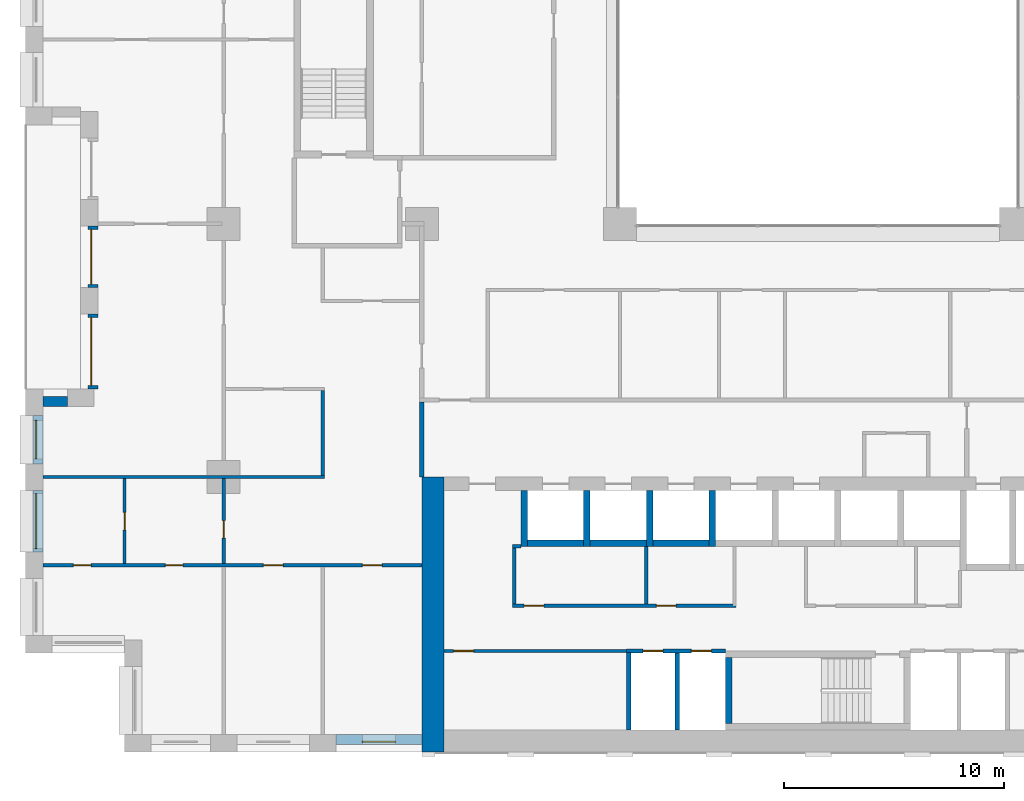
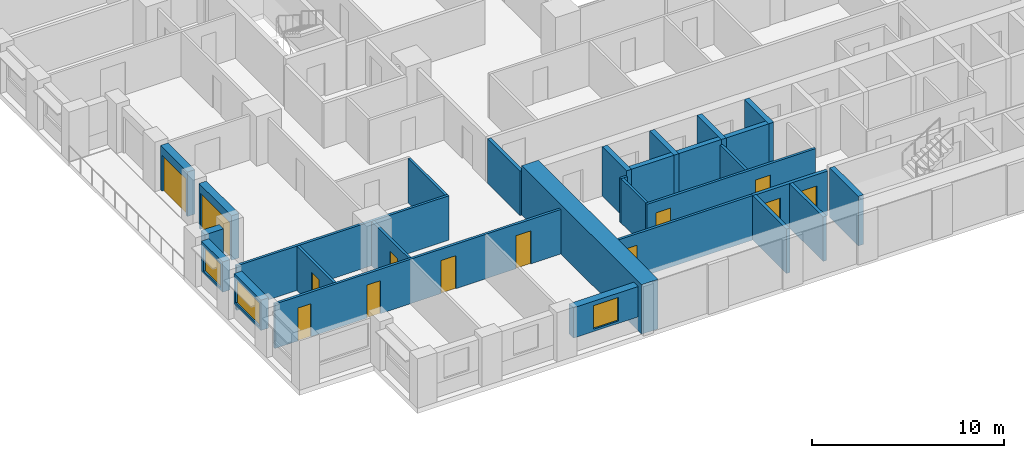
# One storey, part 9 of 20: 29 walls, 13 doors, 3 windows, 16 openings.
"""IFC4 building model written with IfcOpenShell, lengths in metres."""

from ifc_helpers import new_model, si_unit, direction, frame, frame_2d, origin, place, context, subcontext, project, spatial, rectangle, extrude, material, layer, layer_set, type_object, element, fill, save


model = new_model("IFC4")

# Units and contexts
model_context = context("Model", 3, precision=1e-05, world=origin(), true_north=direction((0.0, 1.0)))
body_context = subcontext(model_context, "Body", "Model", "MODEL_VIEW")
ifc_project = project(units=[si_unit("LENGTHUNIT", "METRE"), si_unit("AREAUNIT", "SQUARE_METRE"), si_unit("VOLUMEUNIT", "CUBIC_METRE"), si_unit("PLANEANGLEUNIT", "RADIAN"), si_unit("MASSUNIT", "GRAM", prefix="KILO")], contexts=[model_context])

# Site, building, storey
site_placement = place(None, origin())
site = spatial("IfcSite", under=ifc_project, at=site_placement, CompositionType="ELEMENT")
building_placement = place(site_placement, origin())
building = spatial("IfcBuilding", under=site, at=building_placement, Name="Brigalow Station Residences", CompositionType="ELEMENT")
storey_placement = place(building_placement, frame((0.0, 0.0, 63.60009765625)))
storey = spatial("IfcBuildingStorey", under=building, at=storey_placement, Name="L18", CompositionType="ELEMENT", Elevation=63.60009765625)

# Wall, opening, window
ifc_material_1 = material(Name="Clay brick masonry", Category="masonry")
ifc_layer_1 = layer(ifc_material_1, 0.449951171875)
ifc_layer_set_1 = layer_set([ifc_layer_1], Name="BRICK INFILL WALL 450")
wall_type_1 = type_object("IfcWallType", Name="BRICK INFILL WALL 450", PredefinedType="SOLIDWALL", material=ifc_layer_set_1)
wall_1_placement = place(storey_placement, frame((14.10009765625, 0.574951171875, 0.89990234375), z_axis=(0.0, 0.0, 1.0), x_axis=(1.0, 0.0, 0.0)))
wall_1 = element("IfcWall", 1, at=wall_1_placement, inside=storey, type_object=wall_type_1, Name="L18/ewall/W-L18-3", PredefinedType="SOLIDWALL", context=body_context, shape_type="SweptSolid", body=[
    extrude(rectangle(XDim=3.89990234375, YDim=0.449951171875, at=frame_2d((1.949951171875, 0.0))), origin(), (0.0, 0.0, 1.0), 1.929931640625),
])
opening_1_placement = place(wall_1_placement, frame((1.199951171875, 0.0, 0.14990234375)))
opening_1 = element("IfcOpeningElement", 2, at=opening_1_placement, cuts=wall_1, Name="Opening WT-1", PredefinedType="OPENING", context=body_context, shape_type="SweptSolid", body=[
    extrude(rectangle(XDim=1.5, YDim=1.5, at=frame_2d((0.75, 0.75))), frame((0.0, 0.23486328125, 0.0), z_axis=(0.0, -1.0, 0.0), x_axis=(1.0, 0.0, 0.0)), (0.0, 0.0, 1.0), 0.469970703125),
])
ifc_material_2 = material(Name="Anodised aluminium frame with double glazing", Category="aluminium")
window_type_1 = type_object("IfcWindowType", Name="WINDOW 1500x1500", PartitioningType="SINGLE_PANEL", PredefinedType="WINDOW", material=ifc_material_2)
window_1_placement = place(opening_1_placement, origin())
window_1 = element("IfcWindow", 3, at=window_1_placement, inside=storey, type_object=window_type_1, Name="L18/window/W-L18-3", OverallHeight=1.5, OverallWidth=1.5, PartitioningType="SINGLE_PANEL", PredefinedType="WINDOW", context=body_context, shape_type="SweptSolid", body=[
    extrude(rectangle(XDim=1.5, YDim=1.5, at=frame_2d((0.75, 0.75))), frame((0.0, -0.06494140625, 0.0), z_axis=(0.0, -1.0, 0.0), x_axis=(1.0, 0.0, 0.0)), (0.0, 0.0, 1.0), 0.06005859375),
])
fill(opening_1, window_1)

# Wall, opening, door
wall_2_placement = place(storey_placement, frame((3.074951171875, 23.89990234375, 0.0), z_axis=(0.0, 0.0, 1.0), x_axis=(0.0, -1.0, 0.0)))
wall_2 = element("IfcWall", 4, at=wall_2_placement, inside=storey, type_object=wall_type_1, Name="L18/ewall/W-L18-48", PredefinedType="SOLIDWALL", context=body_context, shape_type="SweptSolid", body=[
    extrude(rectangle(XDim=2.7998046875, YDim=0.449951171875, at=frame_2d((1.39990234375, 0.0))), origin(), (0.0, 0.0, 1.0), 2.829833984375),
])
opening_2_placement = place(wall_2_placement, frame((0.14990234375, 0.0, 0.0)))
opening_2 = element("IfcOpeningElement", 5, at=opening_2_placement, cuts=wall_2, Name="Opening D-B2500", PredefinedType="OPENING", context=body_context, shape_type="SweptSolid", body=[
    extrude(rectangle(XDim=2.5, YDim=2.300048828125, at=frame_2d((1.25, 1.14990234375))), frame((0.0, 0.23486328125, 0.0), z_axis=(0.0, -1.0, 0.0), x_axis=(1.0, 0.0, 0.0)), (0.0, 0.0, 1.0), 0.469970703125),
])
ifc_material_3 = material(Name="Anodised aluminium frame with double glazing", Category="aluminium")
door_type_1 = type_object("IfcDoorType", Name="BALCONY SLIDING DOOR 2500x2300", OperationType="SLIDING_TO_LEFT", PredefinedType="DOOR", material=ifc_material_3)
door_1_placement = place(opening_2_placement, origin())
door_1 = element("IfcDoor", 6, at=door_1_placement, inside=storey, type_object=door_type_1, Name="L18/balcony-door/W-L18-48", OperationType="SLIDING_TO_LEFT", OverallHeight=2.300048828125, OverallWidth=2.5, PredefinedType="DOOR", context=body_context, shape_type="SweptSolid", body=[
    extrude(rectangle(XDim=2.5, YDim=2.300048828125, at=frame_2d((1.25, 1.14990234375))), frame((0.0, -0.06982421875, 0.0), z_axis=(0.0, -1.0, 0.0), x_axis=(1.0, 0.0, 0.0)), (0.0, 0.0, 1.0), 0.050048828125),
])
fill(opening_2, door_1)

wall_3_placement = place(storey_placement, frame((3.074951171875, 19.89990234375, 0.0), z_axis=(0.0, 0.0, 1.0), x_axis=(0.0, -1.0, 0.0)))
wall_3 = element("IfcWall", 7, at=wall_3_placement, inside=storey, type_object=wall_type_1, Name="L18/ewall/W-L18-49", PredefinedType="SOLIDWALL", context=body_context, shape_type="SweptSolid", body=[
    extrude(rectangle(XDim=3.39990234375, YDim=0.449951171875, at=frame_2d((1.699951171875, 0.0))), origin(), (0.0, 0.0, 1.0), 2.829833984375),
])
opening_3_placement = place(wall_3_placement, frame((0.14990234375, 0.0, 0.0)))
opening_3 = element("IfcOpeningElement", 8, at=opening_3_placement, cuts=wall_3, Name="Opening D-B3100", PredefinedType="OPENING", context=body_context, shape_type="SweptSolid", body=[
    extrude(rectangle(XDim=3.10009765625, YDim=2.300048828125, at=frame_2d((1.550048828125, 1.14990234375))), frame((0.0, 0.23486328125, 0.0), z_axis=(0.0, -1.0, 0.0), x_axis=(1.0, 0.0, 0.0)), (0.0, 0.0, 1.0), 0.469970703125),
])
ifc_material_4 = material(Name="Anodised aluminium frame with double glazing", Category="aluminium")
door_type_2 = type_object("IfcDoorType", Name="BALCONY SLIDING DOOR 3100x2300", OperationType="SLIDING_TO_LEFT", PredefinedType="DOOR", material=ifc_material_4)
door_2_placement = place(opening_3_placement, origin())
door_2 = element("IfcDoor", 9, at=door_2_placement, inside=storey, type_object=door_type_2, Name="L18/balcony-door/W-L18-49", OperationType="SLIDING_TO_LEFT", OverallHeight=2.300048828125, OverallWidth=3.10009765625, PredefinedType="DOOR", context=body_context, shape_type="SweptSolid", body=[
    extrude(rectangle(XDim=3.10009765625, YDim=2.300048828125, at=frame_2d((1.550048828125, 1.14990234375))), frame((0.0, -0.06982421875, 0.0), z_axis=(0.0, -1.0, 0.0), x_axis=(1.0, 0.0, 0.0)), (0.0, 0.0, 1.0), 0.050048828125),
])
fill(opening_3, door_2)

# Wall
wall_4_placement = place(storey_placement, frame((1.89990234375, 15.925048828125, 0.89990234375), z_axis=(0.0, 0.0, 1.0), x_axis=(-1.0, 0.0, 0.0)))
element("IfcWall", 10, at=wall_4_placement, inside=storey, type_object=wall_type_1, Name="L18/ewall/W-L18-50", PredefinedType="SOLIDWALL", context=body_context, shape_type="SweptSolid", body=[
    extrude(rectangle(XDim=1.099853515625, YDim=0.449951171875, at=frame_2d((0.5498046875, 0.0))), origin(), (0.0, 0.0, 1.0), 1.929931640625),
])

# Wall, opening, window
wall_5_placement = place(storey_placement, frame((0.574951171875, 15.300048828125, 0.89990234375), z_axis=(0.0, 0.0, 1.0), x_axis=(0.0, -1.0, 0.0)))
wall_5 = element("IfcWall", 11, at=wall_5_placement, inside=storey, type_object=wall_type_1, Name="L18/ewall/W-L18-51", PredefinedType="SOLIDWALL", context=body_context, shape_type="SweptSolid", body=[
    extrude(rectangle(XDim=2.199951171875, YDim=0.449951171875, at=frame_2d((1.10009765625, 0.0))), origin(), (0.0, 0.0, 1.0), 1.929931640625),
])
opening_4_placement = place(wall_5_placement, frame((0.22509765625, 0.0, 0.14990234375)))
opening_4 = element("IfcOpeningElement", 12, at=opening_4_placement, cuts=wall_5, Name="Opening WT-4", PredefinedType="OPENING", context=body_context, shape_type="SweptSolid", body=[
    extrude(rectangle(XDim=1.75, YDim=1.5, at=frame_2d((0.875, 0.75))), frame((0.0, 0.23486328125, 0.0), z_axis=(0.0, -1.0, 0.0), x_axis=(1.0, 0.0, 0.0)), (0.0, 0.0, 1.0), 0.469970703125),
])
ifc_material_5 = material(Name="Anodised aluminium frame with double glazing", Category="aluminium")
window_type_2 = type_object("IfcWindowType", Name="WINDOW 1750x1500", PartitioningType="SINGLE_PANEL", PredefinedType="WINDOW", material=ifc_material_5)
window_2_placement = place(opening_4_placement, origin())
window_2 = element("IfcWindow", 13, at=window_2_placement, inside=storey, type_object=window_type_2, Name="L18/window/W-L18-51", OverallHeight=1.5, OverallWidth=1.75, PartitioningType="SINGLE_PANEL", PredefinedType="WINDOW", context=body_context, shape_type="SweptSolid", body=[
    extrude(rectangle(XDim=1.75, YDim=1.5, at=frame_2d((0.875, 0.75))), frame((0.0, -0.06494140625, 0.0), z_axis=(0.0, -1.0, 0.0), x_axis=(1.0, 0.0, 0.0)), (0.0, 0.0, 1.0), 0.06005859375),
])
fill(opening_4, window_2)

wall_6_placement = place(storey_placement, frame((0.574951171875, 11.89990234375, 0.89990234375), z_axis=(0.0, 0.0, 1.0), x_axis=(0.0, -1.0, 0.0)))
wall_6 = element("IfcWall", 14, at=wall_6_placement, inside=storey, type_object=wall_type_1, Name="L18/ewall/W-L18-52", PredefinedType="SOLIDWALL", context=body_context, shape_type="SweptSolid", body=[
    extrude(rectangle(XDim=2.7998046875, YDim=0.449951171875, at=frame_2d((1.39990234375, 0.0))), origin(), (0.0, 0.0, 1.0), 1.929931640625),
])
opening_5_placement = place(wall_6_placement, frame((0.14990234375, 0.0, 0.14990234375)))
opening_5 = element("IfcOpeningElement", 15, at=opening_5_placement, cuts=wall_6, Name="Opening WT-5", PredefinedType="OPENING", context=body_context, shape_type="SweptSolid", body=[
    extrude(rectangle(XDim=2.5, YDim=1.5, at=frame_2d((1.25, 0.75))), frame((0.0, 0.23486328125, 0.0), z_axis=(0.0, -1.0, 0.0), x_axis=(1.0, 0.0, 0.0)), (0.0, 0.0, 1.0), 0.469970703125),
])
ifc_material_6 = material(Name="Anodised aluminium frame with double glazing", Category="aluminium")
window_type_3 = type_object("IfcWindowType", Name="WINDOW 2500x1500", PartitioningType="SINGLE_PANEL", PredefinedType="WINDOW", material=ifc_material_6)
window_3_placement = place(opening_5_placement, origin())
window_3 = element("IfcWindow", 16, at=window_3_placement, inside=storey, type_object=window_type_3, Name="L18/window/W-L18-52", OverallHeight=1.5, OverallWidth=2.5, PartitioningType="SINGLE_PANEL", PredefinedType="WINDOW", context=body_context, shape_type="SweptSolid", body=[
    extrude(rectangle(XDim=2.5, YDim=1.5, at=frame_2d((1.25, 0.75))), frame((0.0, -0.06494140625, 0.0), z_axis=(0.0, -1.0, 0.0), x_axis=(1.0, 0.0, 0.0)), (0.0, 0.0, 1.0), 0.06005859375),
])
fill(opening_5, window_3)

# Walls
ifc_material_7 = material(Name="Concrete C80", Category="concrete")
ifc_layer_2 = layer(ifc_material_7, 1.0)
ifc_layer_set_2 = layer_set([ifc_layer_2], Name="CORE SHEAR WALL 1000 C80")
wall_type_2 = type_object("IfcWallType", Name="CORE SHEAR WALL 1000 C80", PredefinedType="SHEAR", material=ifc_layer_set_2)
wall_7_placement = place(storey_placement, frame((18.5, 0.0, 0.0), z_axis=(0.0, 0.0, 1.0), x_axis=(0.0, 1.0, 0.0)))
element("IfcWall", 17, at=wall_7_placement, inside=storey, type_object=wall_type_2, Name="CORE WALL OUT-W L18", PredefinedType="SHEAR", context=body_context, shape_type="SweptSolid", body=[
    extrude(rectangle(XDim=12.5, YDim=1.0, at=frame_2d((6.25, 0.0))), origin(), (0.0, 0.0, 1.0), 3.14990234375),
])
ifc_material_8 = material(Name="Concrete C80", Category="concrete")
ifc_layer_3 = layer(ifc_material_8, 0.300048828125)
ifc_layer_set_3 = layer_set([ifc_layer_3], Name="CORE SHEAR WALL 300 C80")
wall_type_3 = type_object("IfcWallType", Name="CORE SHEAR WALL 300 C80", PredefinedType="SHEAR", material=ifc_layer_set_3)
wall_8_placement = place(storey_placement, frame((22.800048828125, 9.5, 0.0), z_axis=(0.0, 0.0, 1.0), x_axis=(1.0, 0.0, 0.0)))
element("IfcWall", 18, at=wall_8_placement, inside=storey, type_object=wall_type_3, Name="CORE WALL SH-P1-S L18", PredefinedType="SHEAR", context=body_context, shape_type="SweptSolid", body=[
    extrude(rectangle(XDim=2.550048828125, YDim=0.300048828125, at=frame_2d((1.27490234375, 0.0))), origin(), (0.0, 0.0, 1.0), 3.14990234375),
])
wall_9_placement = place(storey_placement, frame((22.64990234375, 9.35009765625, 0.0), z_axis=(0.0, 0.0, 1.0), x_axis=(0.0, 1.0, 0.0)))
element("IfcWall", 19, at=wall_9_placement, inside=storey, type_object=wall_type_3, Name="CORE WALL SH-P1-W L18", PredefinedType="SHEAR", context=body_context, shape_type="SweptSolid", body=[
    extrude(rectangle(XDim=2.5498046875, YDim=0.300048828125, at=frame_2d((1.27490234375, 0.0))), origin(), (0.0, 0.0, 1.0), 3.14990234375),
])
wall_10_placement = place(storey_placement, frame((25.64990234375, 9.5, 0.0), z_axis=(0.0, 0.0, 1.0), x_axis=(1.0, 0.0, 0.0)))
element("IfcWall", 20, at=wall_10_placement, inside=storey, type_object=wall_type_3, Name="CORE WALL SH-P2-S L18", PredefinedType="SHEAR", context=body_context, shape_type="SweptSolid", body=[
    extrude(rectangle(XDim=2.550048828125, YDim=0.300048828125, at=frame_2d((1.27490234375, 0.0))), origin(), (0.0, 0.0, 1.0), 3.14990234375),
])
wall_11_placement = place(storey_placement, frame((25.5, 9.35009765625, 0.0), z_axis=(0.0, 0.0, 1.0), x_axis=(0.0, 1.0, 0.0)))
element("IfcWall", 21, at=wall_11_placement, inside=storey, type_object=wall_type_3, Name="CORE WALL SH-P2-W L18", PredefinedType="SHEAR", context=body_context, shape_type="SweptSolid", body=[
    extrude(rectangle(XDim=2.5498046875, YDim=0.300048828125, at=frame_2d((1.27490234375, 0.0))), origin(), (0.0, 0.0, 1.0), 3.14990234375),
])
wall_12_placement = place(storey_placement, frame((28.5, 9.5, 0.0), z_axis=(0.0, 0.0, 1.0), x_axis=(1.0, 0.0, 0.0)))
element("IfcWall", 22, at=wall_12_placement, inside=storey, type_object=wall_type_3, Name="CORE WALL SH-P3-S L18", PredefinedType="SHEAR", context=body_context, shape_type="SweptSolid", body=[
    extrude(rectangle(XDim=2.550048828125, YDim=0.300048828125, at=frame_2d((1.27490234375, 0.0))), origin(), (0.0, 0.0, 1.0), 3.14990234375),
])
for number, where, z_axis, x_axis, name in (
    (23, (28.35009765625, 9.35009765625, 0.0), (0.0, 0.0, 1.0), (0.0, 1.0, 0.0), "CORE WALL SH-P3-W L18"),
    (24, (31.199951171875, 9.35009765625, 0.0), (0.0, 0.0, 1.0), (0.0, 1.0, 0.0), "CORE WALL SH-P4-W L18"),
):
    element("IfcWall", number, at=place(storey_placement, frame(where, z_axis=z_axis, x_axis=x_axis)), inside=storey, type_object=wall_type_3, Name=name, PredefinedType="SHEAR", context=body_context, shape_type="SweptSolid", body=[
        extrude(rectangle(XDim=2.5498046875, YDim=0.300048828125, at=frame_2d((1.27490234375, 0.0))), origin(), (0.0, 0.0, 1.0), 3.14990234375),
    ])
wall_13_placement = place(storey_placement, frame((31.949951171875, 1.300048828125, 0.0), z_axis=(0.0, 0.0, 1.0), x_axis=(0.0, 1.0, 0.0)))
element("IfcWall", 25, at=wall_13_placement, inside=storey, type_object=wall_type_3, Name="CORE WALL ST-S2-W L18", PredefinedType="SHEAR", context=body_context, shape_type="SweptSolid", body=[
    extrude(rectangle(XDim=3.0, YDim=0.300048828125, at=frame_2d((1.5, 0.0))), origin(), (0.0, 0.0, 1.0), 3.14990234375),
])

# Wall, openings, doors
ifc_material_9 = material(Name="Concrete blockwork", Category="masonry")
ifc_layer_4 = layer(ifc_material_9, 0.199951171875)
ifc_layer_set_4 = layer_set([ifc_layer_4], Name="FIRE RATED CORE PARTITION 200")
wall_type_4 = type_object("IfcWallType", Name="FIRE RATED CORE PARTITION 200", PredefinedType="PARTITIONING", material=ifc_layer_set_4)
wall_14_placement = place(storey_placement, frame((27.300048828125, 4.60009765625, 0.0), z_axis=(0.0, 0.0, 1.0), x_axis=(1.0, 0.0, 0.0)))
wall_14 = element("IfcWall", 26, at=wall_14_placement, inside=storey, type_object=wall_type_4, Name="PW-5017", PredefinedType="PARTITIONING", context=body_context, shape_type="SweptSolid", body=[
    extrude(rectangle(XDim=4.5, YDim=0.199951171875, at=frame_2d((2.25, 0.0))), origin(), (0.0, 0.0, 1.0), 2.829833984375),
])
opening_6_placement = place(wall_14_placement, frame((0.75, 0.0, 0.0)))
opening_6 = element("IfcOpeningElement", 27, at=opening_6_placement, cuts=wall_14, Name="Opening D-5007", PredefinedType="OPENING", context=body_context, shape_type="SweptSolid", body=[
    extrude(rectangle(XDim=0.89990234375, YDim=2.10009765625, at=frame_2d((0.449951171875, 1.050048828125))), frame((0.0, 0.10986328125, 0.0), z_axis=(0.0, -1.0, 0.0), x_axis=(1.0, 0.0, 0.0)), (0.0, 0.0, 1.0), 0.219970703125),
])
opening_7_placement = place(wall_14_placement, frame((2.949951171875, 0.0, 0.0)))
opening_7 = element("IfcOpeningElement", 28, at=opening_7_placement, cuts=wall_14, Name="Opening D-5008", PredefinedType="OPENING", context=body_context, shape_type="SweptSolid", body=[
    extrude(rectangle(XDim=0.89990234375, YDim=2.10009765625, at=frame_2d((0.449951171875, 1.050048828125))), frame((0.0, 0.10986328125, 0.0), z_axis=(0.0, -1.0, 0.0), x_axis=(1.0, 0.0, 0.0)), (0.0, 0.0, 1.0), 0.219970703125),
])
ifc_material_10 = material(Name="Steel fire door leaf in steel frame", Category="steel")
door_type_3 = type_object("IfcDoorType", Name="RISER ACCESS DOOR 900 x 2100 FD120", OperationType="SINGLE_SWING_LEFT", PredefinedType="DOOR", material=ifc_material_10)
door_3_placement = place(opening_6_placement, frame((0.89990234375, 0.0, 0.0), z_axis=(0.0, 0.0, 1.0), x_axis=(-1.0, 0.0, 0.0)))
door_3 = element("IfcDoor", 29, at=door_3_placement, inside=storey, type_object=door_type_3, Name="D-5007", OperationType="SINGLE_SWING_RIGHT", OverallHeight=2.10009765625, OverallWidth=0.89990234375, PredefinedType="DOOR", context=body_context, shape_type="SweptSolid", body=[
    extrude(rectangle(XDim=0.89990234375, YDim=2.10009765625, at=frame_2d((0.449951171875, 1.050048828125))), frame((0.0, 0.02490234375, 0.0), z_axis=(0.0, -1.0, 0.0), x_axis=(1.0, 0.0, 0.0)), (0.0, 0.0, 1.0), 0.050048828125),
])
fill(opening_6, door_3)
door_4_placement = place(opening_7_placement, frame((0.89990234375, 0.0, 0.0), z_axis=(0.0, 0.0, 1.0), x_axis=(-1.0, 0.0, 0.0)))
door_4 = element("IfcDoor", 30, at=door_4_placement, inside=storey, type_object=door_type_3, Name="D-5008", OperationType="SINGLE_SWING_RIGHT", OverallHeight=2.10009765625, OverallWidth=0.89990234375, PredefinedType="DOOR", context=body_context, shape_type="SweptSolid", body=[
    extrude(rectangle(XDim=0.89990234375, YDim=2.10009765625, at=frame_2d((0.449951171875, 1.050048828125))), frame((0.0, 0.02490234375, 0.0), z_axis=(0.0, -1.0, 0.0), x_axis=(1.0, 0.0, 0.0)), (0.0, 0.0, 1.0), 0.050048828125),
])
fill(opening_7, door_4)

# Walls
wall_15_placement = place(storey_placement, frame((27.39990234375, 1.0, 0.0), z_axis=(0.0, 0.0, 1.0), x_axis=(0.0, 1.0, 0.0)))
element("IfcWall", 31, at=wall_15_placement, inside=storey, type_object=wall_type_4, Name="PW-5027", PredefinedType="PARTITIONING", context=body_context, shape_type="SweptSolid", body=[
    extrude(rectangle(XDim=3.52490234375, YDim=0.199951171875, at=frame_2d((1.762451171875, 0.0))), origin(), (0.0, 0.0, 1.0), 2.829833984375),
])
wall_16_placement = place(storey_placement, frame((29.60009765625, 1.0, 0.0), z_axis=(0.0, 0.0, 1.0), x_axis=(0.0, 1.0, 0.0)))
element("IfcWall", 32, at=wall_16_placement, inside=storey, type_object=wall_type_4, Name="PW-5006", PredefinedType="PARTITIONING", context=body_context, shape_type="SweptSolid", body=[
    extrude(rectangle(XDim=3.5, YDim=0.199951171875, at=frame_2d((1.75, 0.0))), origin(), (0.0, 0.0, 1.0), 2.829833984375),
])
wall_17_placement = place(storey_placement, frame((18.0, 12.5, 0.0), z_axis=(0.0, 0.0, 1.0), x_axis=(0.0, 1.0, 0.0)))
element("IfcWall", 33, at=wall_17_placement, inside=storey, type_object=wall_type_4, Name="PW-5013", PredefinedType="PARTITIONING", context=body_context, shape_type="SweptSolid", body=[
    extrude(rectangle(XDim=3.39990234375, YDim=0.199951171875, at=frame_2d((1.699951171875, 0.0))), origin(), (0.0, 0.0, 1.0), 2.829833984375),
])

# Wall, openings, doors
ifc_material_11 = material(Name="Plasterboard on steel stud partition", Category="steel")
ifc_layer_5 = layer(ifc_material_11, 0.14990234375)
ifc_layer_set_5 = layer_set([ifc_layer_5], Name="FLAT PARTITION 150")
wall_type_5 = type_object("IfcWallType", Name="FLAT PARTITION 150", PredefinedType="PARTITIONING", material=ifc_layer_set_5)
wall_18_placement = place(storey_placement, frame((0.800048828125, 8.5, 0.0), z_axis=(0.0, 0.0, 1.0), x_axis=(1.0, 0.0, 0.0)))
wall_18 = element("IfcWall", 34, at=wall_18_placement, inside=storey, type_object=wall_type_5, Name="PW-1F11", PredefinedType="PARTITIONING", context=body_context, shape_type="SweptSolid", body=[
    extrude(rectangle(XDim=17.199951171875, YDim=0.14990234375, at=frame_2d((8.60009765625, 0.0))), origin(), (0.0, 0.0, 1.0), 2.829833984375),
])
opening_8_placement = place(wall_18_placement, frame((10.0, 0.0, 0.0)))
opening_8 = element("IfcOpeningElement", 35, at=opening_8_placement, cuts=wall_18, Name="Opening D-1F04", PredefinedType="OPENING", context=body_context, shape_type="SweptSolid", body=[
    extrude(rectangle(XDim=0.89990234375, YDim=2.10009765625, at=frame_2d((0.449951171875, 1.050048828125))), frame((0.0, 0.0849609375, 0.0), z_axis=(0.0, -1.0, 0.0), x_axis=(1.0, 0.0, 0.0)), (0.0, 0.0, 1.0), 0.169921875),
])
opening_9_placement = place(wall_18_placement, frame((14.5, 0.0, 0.0)))
opening_9 = element("IfcOpeningElement", 36, at=opening_9_placement, cuts=wall_18, Name="Opening D-1F05", PredefinedType="OPENING", context=body_context, shape_type="SweptSolid", body=[
    extrude(rectangle(XDim=0.89990234375, YDim=2.10009765625, at=frame_2d((0.449951171875, 1.050048828125))), frame((0.0, 0.0849609375, 0.0), z_axis=(0.0, -1.0, 0.0), x_axis=(1.0, 0.0, 0.0)), (0.0, 0.0, 1.0), 0.169921875),
])
opening_10_placement = place(wall_18_placement, frame((1.375, 0.0, 0.0)))
opening_10 = element("IfcOpeningElement", 37, at=opening_10_placement, cuts=wall_18, Name="Opening D-1F09", PredefinedType="OPENING", context=body_context, shape_type="SweptSolid", body=[
    extrude(rectangle(XDim=0.800048828125, YDim=2.10009765625, at=frame_2d((0.39990234375, 1.050048828125))), frame((0.0, 0.0849609375, 0.0), z_axis=(0.0, -1.0, 0.0), x_axis=(1.0, 0.0, 0.0)), (0.0, 0.0, 1.0), 0.169921875),
])
opening_11_placement = place(wall_18_placement, frame((5.550048828125, 0.0, 0.0)))
opening_11 = element("IfcOpeningElement", 38, at=opening_11_placement, cuts=wall_18, Name="Opening D-1F16", PredefinedType="OPENING", context=body_context, shape_type="SweptSolid", body=[
    extrude(rectangle(XDim=0.800048828125, YDim=2.10009765625, at=frame_2d((0.39990234375, 1.050048828125))), frame((0.0, 0.0849609375, 0.0), z_axis=(0.0, -1.0, 0.0), x_axis=(1.0, 0.0, 0.0)), (0.0, 0.0, 1.0), 0.169921875),
])
ifc_material_12 = material(Name="Solid-core timber door leaf", Category="wood")
door_type_4 = type_object("IfcDoorType", Name="INTERNAL DOOR 800 x 2100", OperationType="SINGLE_SWING_LEFT", PredefinedType="DOOR", material=ifc_material_12)
door_5_placement = place(opening_10_placement, origin())
door_5 = element("IfcDoor", 39, at=door_5_placement, inside=storey, type_object=door_type_4, Name="D-1F09", OperationType="SINGLE_SWING_LEFT", OverallHeight=2.10009765625, OverallWidth=0.800048828125, PredefinedType="DOOR", context=body_context, shape_type="SweptSolid", body=[
    extrude(rectangle(XDim=0.800048828125, YDim=2.10009765625, at=frame_2d((0.39990234375, 1.050048828125))), frame((0.0, 0.02490234375, 0.0), z_axis=(0.0, -1.0, 0.0), x_axis=(1.0, 0.0, 0.0)), (0.0, 0.0, 1.0), 0.050048828125),
])
fill(opening_10, door_5)
door_6_placement = place(opening_11_placement, origin())
door_6 = element("IfcDoor", 40, at=door_6_placement, inside=storey, type_object=door_type_4, Name="D-1F16", OperationType="SINGLE_SWING_LEFT", OverallHeight=2.10009765625, OverallWidth=0.800048828125, PredefinedType="DOOR", context=body_context, shape_type="SweptSolid", body=[
    extrude(rectangle(XDim=0.800048828125, YDim=2.10009765625, at=frame_2d((0.39990234375, 1.050048828125))), frame((0.0, 0.02490234375, 0.0), z_axis=(0.0, -1.0, 0.0), x_axis=(1.0, 0.0, 0.0)), (0.0, 0.0, 1.0), 0.050048828125),
])
fill(opening_11, door_6)
ifc_material_13 = material(Name="Solid-core timber door leaf", Category="wood")
door_type_5 = type_object("IfcDoorType", Name="INTERNAL DOOR 900 x 2100", OperationType="SINGLE_SWING_LEFT", PredefinedType="DOOR", material=ifc_material_13)
door_7_placement = place(opening_8_placement, frame((0.89990234375, 0.0, 0.0), z_axis=(0.0, 0.0, 1.0), x_axis=(-1.0, 0.0, 0.0)))
door_7 = element("IfcDoor", 41, at=door_7_placement, inside=storey, type_object=door_type_5, Name="D-1F04", OperationType="SINGLE_SWING_RIGHT", OverallHeight=2.10009765625, OverallWidth=0.89990234375, PredefinedType="DOOR", context=body_context, shape_type="SweptSolid", body=[
    extrude(rectangle(XDim=0.89990234375, YDim=2.10009765625, at=frame_2d((0.449951171875, 1.050048828125))), frame((0.0, 0.02490234375, 0.0), z_axis=(0.0, -1.0, 0.0), x_axis=(1.0, 0.0, 0.0)), (0.0, 0.0, 1.0), 0.050048828125),
])
fill(opening_8, door_7)
door_8_placement = place(opening_9_placement, frame((0.89990234375, 0.0, 0.0), z_axis=(0.0, 0.0, 1.0), x_axis=(-1.0, 0.0, 0.0)))
door_8 = element("IfcDoor", 42, at=door_8_placement, inside=storey, type_object=door_type_5, Name="D-1F05", OperationType="SINGLE_SWING_RIGHT", OverallHeight=2.10009765625, OverallWidth=0.89990234375, PredefinedType="DOOR", context=body_context, shape_type="SweptSolid", body=[
    extrude(rectangle(XDim=0.89990234375, YDim=2.10009765625, at=frame_2d((0.449951171875, 1.050048828125))), frame((0.0, 0.02490234375, 0.0), z_axis=(0.0, -1.0, 0.0), x_axis=(1.0, 0.0, 0.0)), (0.0, 0.0, 1.0), 0.050048828125),
])
fill(opening_9, door_8)

# Wall
wall_19_placement = place(storey_placement, frame((0.800048828125, 12.5, 0.0), z_axis=(0.0, 0.0, 1.0), x_axis=(1.0, 0.0, 0.0)))
element("IfcWall", 43, at=wall_19_placement, inside=storey, type_object=wall_type_5, Name="PW-1F13", PredefinedType="PARTITIONING", context=body_context, shape_type="SweptSolid", body=[
    extrude(rectangle(XDim=12.77490234375, YDim=0.14990234375, at=frame_2d((6.387451171875, 0.0))), origin(), (0.0, 0.0, 1.0), 2.829833984375),
])

# Wall, opening, door
wall_20_placement = place(storey_placement, frame((9.0, 8.574951171875, 0.0), z_axis=(0.0, 0.0, 1.0), x_axis=(0.0, 1.0, 0.0)))
wall_20 = element("IfcWall", 44, at=wall_20_placement, inside=storey, type_object=wall_type_5, Name="PW-1F50", PredefinedType="PARTITIONING", context=body_context, shape_type="SweptSolid", body=[
    extrude(rectangle(XDim=3.85009765625, YDim=0.14990234375, at=frame_2d((1.925048828125, 0.0))), origin(), (0.0, 0.0, 1.0), 2.829833984375),
])
opening_12_placement = place(wall_20_placement, frame((1.14990234375, 0.0, 0.0)))
opening_12 = element("IfcOpeningElement", 45, at=opening_12_placement, cuts=wall_20, Name="Opening D-1F15", PredefinedType="OPENING", context=body_context, shape_type="SweptSolid", body=[
    extrude(rectangle(XDim=0.800048828125, YDim=2.10009765625, at=frame_2d((0.39990234375, 1.050048828125))), frame((0.0, 0.0849609375, 0.0), z_axis=(0.0, -1.0, 0.0), x_axis=(1.0, 0.0, 0.0)), (0.0, 0.0, 1.0), 0.169921875),
])
door_9_placement = place(opening_12_placement, origin())
door_9 = element("IfcDoor", 46, at=door_9_placement, inside=storey, type_object=door_type_4, Name="D-1F15", OperationType="SINGLE_SWING_LEFT", OverallHeight=2.10009765625, OverallWidth=0.800048828125, PredefinedType="DOOR", context=body_context, shape_type="SweptSolid", body=[
    extrude(rectangle(XDim=0.800048828125, YDim=2.10009765625, at=frame_2d((0.39990234375, 1.050048828125))), frame((0.0, 0.02490234375, 0.0), z_axis=(0.0, -1.0, 0.0), x_axis=(1.0, 0.0, 0.0)), (0.0, 0.0, 1.0), 0.050048828125),
])
fill(opening_12, door_9)

# Wall
wall_21_placement = place(storey_placement, frame((13.5, 12.574951171875, 0.0), z_axis=(0.0, 0.0, 1.0), x_axis=(0.0, 1.0, 0.0)))
element("IfcWall", 47, at=wall_21_placement, inside=storey, type_object=wall_type_5, Name="PW-1F56", PredefinedType="PARTITIONING", context=body_context, shape_type="SweptSolid", body=[
    extrude(rectangle(XDim=3.85009765625, YDim=0.14990234375, at=frame_2d((1.925048828125, 0.0))), origin(), (0.0, 0.0, 1.0), 2.829833984375),
])

# Wall, opening, door
wall_22_placement = place(storey_placement, frame((4.5, 8.574951171875, 0.0), z_axis=(0.0, 0.0, 1.0), x_axis=(0.0, 1.0, 0.0)))
wall_22 = element("IfcWall", 48, at=wall_22_placement, inside=storey, type_object=wall_type_5, Name="PW-1F59", PredefinedType="PARTITIONING", context=body_context, shape_type="SweptSolid", body=[
    extrude(rectangle(XDim=3.85009765625, YDim=0.14990234375, at=frame_2d((1.925048828125, 0.0))), origin(), (0.0, 0.0, 1.0), 2.829833984375),
])
opening_13_placement = place(wall_22_placement, frame((1.52490234375, 0.0, 0.0)))
opening_13 = element("IfcOpeningElement", 49, at=opening_13_placement, cuts=wall_22, Name="Opening D-1F10", PredefinedType="OPENING", context=body_context, shape_type="SweptSolid", body=[
    extrude(rectangle(XDim=0.800048828125, YDim=2.10009765625, at=frame_2d((0.39990234375, 1.050048828125))), frame((0.0, 0.0849609375, 0.0), z_axis=(0.0, -1.0, 0.0), x_axis=(1.0, 0.0, 0.0)), (0.0, 0.0, 1.0), 0.169921875),
])
door_10_placement = place(opening_13_placement, origin())
door_10 = element("IfcDoor", 50, at=door_10_placement, inside=storey, type_object=door_type_4, Name="D-1F10", OperationType="SINGLE_SWING_LEFT", OverallHeight=2.10009765625, OverallWidth=0.800048828125, PredefinedType="DOOR", context=body_context, shape_type="SweptSolid", body=[
    extrude(rectangle(XDim=0.800048828125, YDim=2.10009765625, at=frame_2d((0.39990234375, 1.050048828125))), frame((0.0, 0.02490234375, 0.0), z_axis=(0.0, -1.0, 0.0), x_axis=(1.0, 0.0, 0.0)), (0.0, 0.0, 1.0), 0.050048828125),
])
fill(opening_13, door_10)

ifc_material_14 = material(Name="Plasterboard on steel studs", Category="steel")
ifc_layer_6 = layer(ifc_material_14, 0.14990234375)
ifc_layer_set_6 = layer_set([ifc_layer_6], Name="SERVICE ROOM PARTITION 150")
wall_type_6 = type_object("IfcWallType", Name="SERVICE ROOM PARTITION 150", PredefinedType="PARTITIONING", material=ifc_layer_set_6)
wall_23_placement = place(storey_placement, frame((19.0, 4.60009765625, 0.0), z_axis=(0.0, 0.0, 1.0), x_axis=(1.0, 0.0, 0.0)))
wall_23 = element("IfcWall", 51, at=wall_23_placement, inside=storey, type_object=wall_type_6, Name="PW-5019", PredefinedType="PARTITIONING", context=body_context, shape_type="SweptSolid", body=[
    extrude(rectangle(XDim=8.300048828125, YDim=0.14990234375, at=frame_2d((4.14990234375, 0.0))), origin(), (0.0, 0.0, 1.0), 2.829833984375),
])
opening_14_placement = place(wall_23_placement, frame((0.449951171875, 0.0, 0.0)))
opening_14 = element("IfcOpeningElement", 52, at=opening_14_placement, cuts=wall_23, Name="Opening D-5025", PredefinedType="OPENING", context=body_context, shape_type="SweptSolid", body=[
    extrude(rectangle(XDim=0.89990234375, YDim=2.10009765625, at=frame_2d((0.449951171875, 1.050048828125))), frame((0.0, 0.0849609375, 0.0), z_axis=(0.0, -1.0, 0.0), x_axis=(1.0, 0.0, 0.0)), (0.0, 0.0, 1.0), 0.169921875),
])
ifc_material_15 = material(Name="Steel door leaf in steel frame", Category="steel")
door_type_6 = type_object("IfcDoorType", Name="SERVICE ROOM DOOR 900 x 2100 FD60", OperationType="SINGLE_SWING_LEFT", PredefinedType="DOOR", material=ifc_material_15)
door_11_placement = place(opening_14_placement, frame((0.89990234375, 0.0, 0.0), z_axis=(0.0, 0.0, 1.0), x_axis=(-1.0, 0.0, 0.0)))
door_11 = element("IfcDoor", 53, at=door_11_placement, inside=storey, type_object=door_type_6, Name="D-5025", OperationType="SINGLE_SWING_RIGHT", OverallHeight=2.10009765625, OverallWidth=0.89990234375, PredefinedType="DOOR", context=body_context, shape_type="SweptSolid", body=[
    extrude(rectangle(XDim=0.89990234375, YDim=2.10009765625, at=frame_2d((0.449951171875, 1.050048828125))), frame((0.0, 0.02490234375, 0.0), z_axis=(0.0, -1.0, 0.0), x_axis=(1.0, 0.0, 0.0)), (0.0, 0.0, 1.0), 0.050048828125),
])
fill(opening_14, door_11)

# Wall, openings, doors
wall_24_placement = place(storey_placement, frame((22.125, 6.64990234375, 0.0), z_axis=(0.0, 0.0, 1.0), x_axis=(1.0, 0.0, 0.0)))
wall_24 = element("IfcWall", 54, at=wall_24_placement, inside=storey, type_object=wall_type_6, Name="PW-5148", PredefinedType="PARTITIONING", context=body_context, shape_type="SweptSolid", body=[
    extrude(rectangle(XDim=10.14990234375, YDim=0.14990234375, at=frame_2d((5.074951171875, 0.0))), origin(), (0.0, 0.0, 1.0), 2.829833984375),
])
opening_15_placement = place(wall_24_placement, frame((0.52490234375, 0.0, 0.0)))
opening_15 = element("IfcOpeningElement", 55, at=opening_15_placement, cuts=wall_24, Name="Opening D-5021", PredefinedType="OPENING", context=body_context, shape_type="SweptSolid", body=[
    extrude(rectangle(XDim=0.89990234375, YDim=2.10009765625, at=frame_2d((0.449951171875, 1.050048828125))), frame((0.0, 0.0849609375, 0.0), z_axis=(0.0, -1.0, 0.0), x_axis=(1.0, 0.0, 0.0)), (0.0, 0.0, 1.0), 0.169921875),
])
opening_16_placement = place(wall_24_placement, frame((6.52490234375, 0.0, 0.0)))
opening_16 = element("IfcOpeningElement", 56, at=opening_16_placement, cuts=wall_24, Name="Opening D-5083", PredefinedType="OPENING", context=body_context, shape_type="SweptSolid", body=[
    extrude(rectangle(XDim=0.89990234375, YDim=2.10009765625, at=frame_2d((0.449951171875, 1.050048828125))), frame((0.0, 0.0849609375, 0.0), z_axis=(0.0, -1.0, 0.0), x_axis=(1.0, 0.0, 0.0)), (0.0, 0.0, 1.0), 0.169921875),
])
door_12_placement = place(opening_15_placement, origin())
door_12 = element("IfcDoor", 57, at=door_12_placement, inside=storey, type_object=door_type_6, Name="D-5021", OperationType="SINGLE_SWING_LEFT", OverallHeight=2.10009765625, OverallWidth=0.89990234375, PredefinedType="DOOR", context=body_context, shape_type="SweptSolid", body=[
    extrude(rectangle(XDim=0.89990234375, YDim=2.10009765625, at=frame_2d((0.449951171875, 1.050048828125))), frame((0.0, 0.02490234375, 0.0), z_axis=(0.0, -1.0, 0.0), x_axis=(1.0, 0.0, 0.0)), (0.0, 0.0, 1.0), 0.050048828125),
])
fill(opening_15, door_12)
door_13_placement = place(opening_16_placement, origin())
door_13 = element("IfcDoor", 58, at=door_13_placement, inside=storey, type_object=door_type_6, Name="D-5083", OperationType="SINGLE_SWING_LEFT", OverallHeight=2.10009765625, OverallWidth=0.89990234375, PredefinedType="DOOR", context=body_context, shape_type="SweptSolid", body=[
    extrude(rectangle(XDim=0.89990234375, YDim=2.10009765625, at=frame_2d((0.449951171875, 1.050048828125))), frame((0.0, 0.02490234375, 0.0), z_axis=(0.0, -1.0, 0.0), x_axis=(1.0, 0.0, 0.0)), (0.0, 0.0, 1.0), 0.050048828125),
])
fill(opening_16, door_13)

# Walls
wall_25_placement = place(storey_placement, frame((22.125, 9.35009765625, 0.0), z_axis=(0.0, 0.0, 1.0), x_axis=(1.0, 0.0, 0.0)))
element("IfcWall", 59, at=wall_25_placement, inside=storey, type_object=wall_type_6, Name="PW-5022", PredefinedType="PARTITIONING", context=body_context, shape_type="SweptSolid", body=[
    extrude(rectangle(XDim=0.375, YDim=0.14990234375, at=frame_2d((0.1875, 0.0))), origin(), (0.0, 0.0, 1.0), 2.829833984375),
])
wall_26_placement = place(storey_placement, frame((22.199951171875, 6.72509765625, 0.0), z_axis=(0.0, 0.0, 1.0), x_axis=(0.0, 1.0, 0.0)))
element("IfcWall", 60, at=wall_26_placement, inside=storey, type_object=wall_type_6, Name="PW-5030", PredefinedType="PARTITIONING", context=body_context, shape_type="SweptSolid", body=[
    extrude(rectangle(XDim=2.5498046875, YDim=0.14990234375, at=frame_2d((1.27490234375, 0.0))), origin(), (0.0, 0.0, 1.0), 2.829833984375),
])
wall_27_placement = place(storey_placement, frame((28.199951171875, 6.72509765625, 0.0), z_axis=(0.0, 0.0, 1.0), x_axis=(0.0, 1.0, 0.0)))
element("IfcWall", 61, at=wall_27_placement, inside=storey, type_object=wall_type_6, Name="PW-5153", PredefinedType="PARTITIONING", context=body_context, shape_type="SweptSolid", body=[
    extrude(rectangle(XDim=2.625, YDim=0.14990234375, at=frame_2d((1.3125, 0.0))), origin(), (0.0, 0.0, 1.0), 2.829833984375),
])

save(model, "model.ifc")
